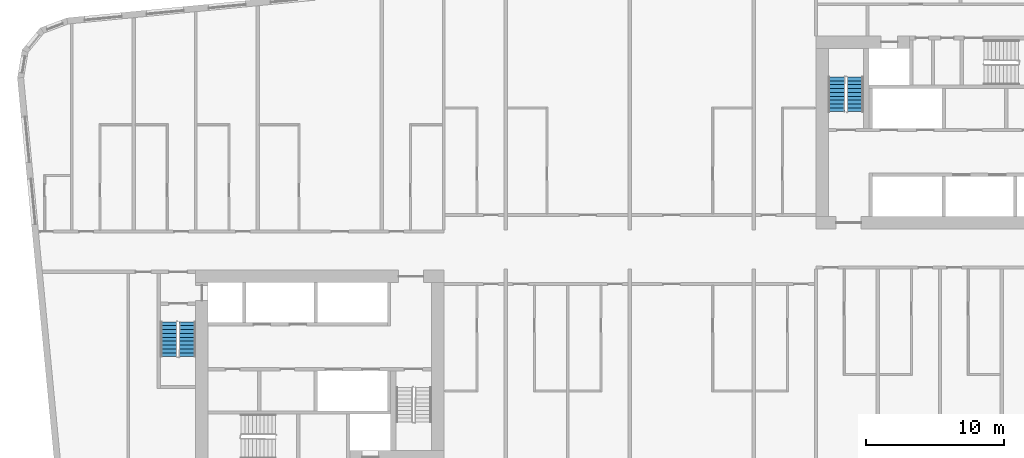
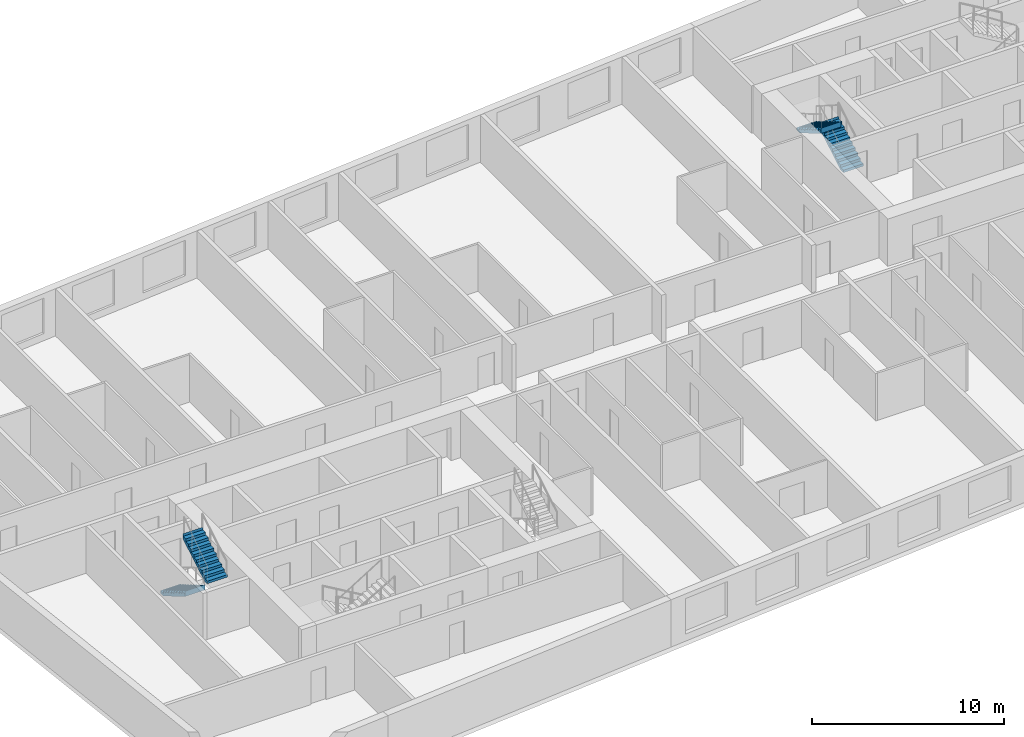
# One storey, part 10 of 12: 4 stair flights, 2 elements without a shape of their own.
"""IFC4 building model written with IfcOpenShell, lengths in metres."""

from ifc_helpers import new_model, si_unit, direction, frame, origin, place, context, subcontext, project, spatial, faceted_brep, material, type_object, element, aggregate, save


model = new_model("IFC4")

# Units and contexts
model_context = context("Model", 3, precision=1e-05, world=origin(), true_north=direction((0.0, 1.0)))
body_context = subcontext(model_context, "Body", "Model", "MODEL_VIEW")
ifc_project = project(units=[si_unit("LENGTHUNIT", "METRE"), si_unit("AREAUNIT", "SQUARE_METRE"), si_unit("VOLUMEUNIT", "CUBIC_METRE"), si_unit("PLANEANGLEUNIT", "RADIAN"), si_unit("MASSUNIT", "GRAM", prefix="KILO")], contexts=[model_context])

# Site, building, storey
site_placement = place(None, origin())
site = spatial("IfcSite", under=ifc_project, at=site_placement, CompositionType="ELEMENT")
building_placement = place(site_placement, origin())
building = spatial("IfcBuilding", under=site, at=building_placement, Name="Kajstack Hotel Tower", CompositionType="ELEMENT")
storey_placement = place(building_placement, frame((0.0, 0.0, 203.199951171875)))
storey = spatial("IfcBuildingStorey", under=building, at=storey_placement, Name="L49", CompositionType="ELEMENT", Elevation=203.199951171875)

# Stair, stair flights
ifc_material = material(Name="Concrete C40/50", Category="concrete")
stair_type = type_object("IfcStairType", Name="Exit stair 1200", PredefinedType="HALF_TURN_STAIR", material=ifc_material)
stair_1_placement = place(storey_placement, origin())
stair_1 = element("IfcStair", 1, at=stair_1_placement, inside=storey, type_object=stair_type, Name="L49 stair W1", PredefinedType="HALF_TURN_STAIR")
stair_flight_type = type_object("IfcStairFlightType", Name="Exit stair flight 1200", PredefinedType="STRAIGHT", material=ifc_material)
stair_flight_1_placement = place(storey_placement, frame((-33.449951171875, -5.25, 0.0), z_axis=(0.0, 0.0, 1.0), x_axis=(0.0, -1.0, 0.0)))
stair_flight_1 = element("IfcStairFlight", 2, at=stair_flight_1_placement, type_object=stair_flight_type, Name="W1 flight 1", NumberOfRisers=10, NumberOfTreads=9, PredefinedType="STRAIGHT", RiserHeight=0.165, TreadLength=0.28, context=body_context, shape_type="Brep", body=[
    faceted_brep([(0.295654296875, -0.60009765625, 0.0), (2.5205078125, -0.60009765625, 1.31103515625), (2.5205078125, -0.60009765625, 1.64990234375), (2.52001953125, -0.60009765625, 1.64990234375), (2.52001953125, -0.60009765625, 1.485107421875), (2.239990234375, -0.60009765625, 1.485107421875), (2.239990234375, -0.60009765625, 1.320068359375), (1.9599609375, -0.60009765625, 1.320068359375), (1.9599609375, -0.60009765625, 1.155029296875), (1.679931640625, -0.60009765625, 1.155029296875), (1.679931640625, -0.60009765625, 0.989990234375), (1.39990234375, -0.60009765625, 0.989990234375), (1.39990234375, -0.60009765625, 0.824951171875), (1.1201171875, -0.60009765625, 0.824951171875), (1.1201171875, -0.60009765625, 0.659912109375), (0.840087890625, -0.60009765625, 0.659912109375), (0.840087890625, -0.60009765625, 0.4951171875), (0.56005859375, -0.60009765625, 0.4951171875), (0.56005859375, -0.60009765625, 0.330078125), (0.280029296875, -0.60009765625, 0.330078125), (0.280029296875, -0.60009765625, 0.1650390625), (-0.00048828125, -0.60009765625, 0.1650390625), (-0.00048828125, -0.60009765625, 0.0), (-0.00048828125, 0.60009765625, 0.0), (-0.00048828125, 0.60009765625, 0.1650390625), (0.280029296875, 0.60009765625, 0.1650390625), (0.280029296875, 0.60009765625, 0.330078125), (0.56005859375, 0.60009765625, 0.330078125), (0.56005859375, 0.60009765625, 0.4951171875), (0.840087890625, 0.60009765625, 0.4951171875), (0.840087890625, 0.60009765625, 0.659912109375), (1.1201171875, 0.60009765625, 0.659912109375), (1.1201171875, 0.60009765625, 0.824951171875), (1.39990234375, 0.60009765625, 0.824951171875), (1.39990234375, 0.60009765625, 0.989990234375), (1.679931640625, 0.60009765625, 0.989990234375), (1.679931640625, 0.60009765625, 1.155029296875), (1.9599609375, 0.60009765625, 1.155029296875), (1.9599609375, 0.60009765625, 1.320068359375), (2.239990234375, 0.60009765625, 1.320068359375), (2.239990234375, 0.60009765625, 1.485107421875), (2.52001953125, 0.60009765625, 1.485107421875), (2.52001953125, 0.60009765625, 1.64990234375), (2.5205078125, 0.60009765625, 1.64990234375), (2.5205078125, 0.60009765625, 1.31103515625), (0.295654296875, 0.60009765625, 0.0), (-0.00048828125, -0.300048828125, 0.1650390625), (-0.00048828125, 0.0, 0.1650390625), (-0.00048828125, 0.300048828125, 0.1650390625), (-0.00048828125, 0.300048828125, 0.0), (-0.00048828125, 0.0, 0.0), (-0.00048828125, -0.300048828125, 0.0), (0.280029296875, -0.300048828125, 0.1650390625), (0.280029296875, 0.0, 0.1650390625), (0.280029296875, 0.300048828125, 0.1650390625), (0.280029296875, -0.300048828125, 0.330078125), (0.280029296875, 0.0, 0.330078125), (0.280029296875, 0.300048828125, 0.330078125), (0.56005859375, -0.300048828125, 0.330078125), (0.56005859375, 0.0, 0.330078125), (0.56005859375, 0.300048828125, 0.330078125), (0.56005859375, -0.300048828125, 0.4951171875), (0.56005859375, 0.0, 0.4951171875), (0.56005859375, 0.300048828125, 0.4951171875), (0.840087890625, -0.300048828125, 0.4951171875), (0.840087890625, 0.0, 0.4951171875), (0.840087890625, 0.300048828125, 0.4951171875), (0.840087890625, -0.300048828125, 0.659912109375), (0.840087890625, 0.0, 0.659912109375), (0.840087890625, 0.300048828125, 0.659912109375), (1.1201171875, -0.300048828125, 0.659912109375), (1.1201171875, 0.0, 0.659912109375), (1.1201171875, 0.300048828125, 0.659912109375), (1.1201171875, -0.300048828125, 0.824951171875), (1.1201171875, 0.0, 0.824951171875), (1.1201171875, 0.300048828125, 0.824951171875), (1.39990234375, -0.300048828125, 0.824951171875), (1.39990234375, 0.0, 0.824951171875), (1.39990234375, 0.300048828125, 0.824951171875), (1.39990234375, -0.300048828125, 0.989990234375), (1.39990234375, 0.0, 0.989990234375), (1.39990234375, 0.300048828125, 0.989990234375), (1.679931640625, -0.300048828125, 0.989990234375), (1.679931640625, 0.0, 0.989990234375), (1.679931640625, 0.300048828125, 0.989990234375), (1.679931640625, -0.300048828125, 1.155029296875), (1.679931640625, 0.0, 1.155029296875), (1.679931640625, 0.300048828125, 1.155029296875), (1.9599609375, -0.300048828125, 1.155029296875), (1.9599609375, 0.0, 1.155029296875), (1.9599609375, 0.300048828125, 1.155029296875), (1.9599609375, -0.300048828125, 1.320068359375), (1.9599609375, 0.0, 1.320068359375), (1.9599609375, 0.300048828125, 1.320068359375), (2.239990234375, -0.300048828125, 1.320068359375), (2.239990234375, 0.0, 1.320068359375), (2.239990234375, 0.300048828125, 1.320068359375), (2.239990234375, -0.300048828125, 1.485107421875), (2.239990234375, 0.0, 1.485107421875), (2.239990234375, 0.300048828125, 1.485107421875), (2.52001953125, -0.300048828125, 1.485107421875), (2.52001953125, 0.0, 1.485107421875), (2.52001953125, 0.300048828125, 1.485107421875), (2.52001953125, -0.300048828125, 1.64990234375), (2.52001953125, 0.0, 1.64990234375), (2.52001953125, 0.300048828125, 1.64990234375), (2.5205078125, -0.300048828125, 1.64990234375), (2.5205078125, 0.0, 1.64990234375), (2.5205078125, 0.300048828125, 1.64990234375), (2.5205078125, -0.300048828125, 1.31103515625), (2.5205078125, 0.0, 1.31103515625), (2.5205078125, 0.300048828125, 1.31103515625), (0.295654296875, -0.300048828125, 0.0), (0.295654296875, 0.0, 0.0), (0.295654296875, 0.300048828125, 0.0)], [[[0, 1, 2, 3, 4, 5, 6, 7, 8, 9, 10, 11, 12, 13, 14, 15, 16, 17, 18, 19, 20, 21, 22]], [[23, 24, 25, 26, 27, 28, 29, 30, 31, 32, 33, 34, 35, 36, 37, 38, 39, 40, 41, 42, 43, 44, 45]], [[21, 46, 47, 48, 24, 23, 49, 50, 51, 22]], [[20, 52, 53, 54, 25, 24, 48, 47, 46, 21]], [[19, 55, 56, 57, 26, 25, 54, 53, 52, 20]], [[18, 58, 59, 60, 27, 26, 57, 56, 55, 19]], [[17, 61, 62, 63, 28, 27, 60, 59, 58, 18]], [[16, 64, 65, 66, 29, 28, 63, 62, 61, 17]], [[15, 67, 68, 69, 30, 29, 66, 65, 64, 16]], [[14, 70, 71, 72, 31, 30, 69, 68, 67, 15]], [[13, 73, 74, 75, 32, 31, 72, 71, 70, 14]], [[12, 76, 77, 78, 33, 32, 75, 74, 73, 13]], [[11, 79, 80, 81, 34, 33, 78, 77, 76, 12]], [[10, 82, 83, 84, 35, 34, 81, 80, 79, 11]], [[9, 85, 86, 87, 36, 35, 84, 83, 82, 10]], [[8, 88, 89, 90, 37, 36, 87, 86, 85, 9]], [[7, 91, 92, 93, 38, 37, 90, 89, 88, 8]], [[6, 94, 95, 96, 39, 38, 93, 92, 91, 7]], [[5, 97, 98, 99, 40, 39, 96, 95, 94, 6]], [[4, 100, 101, 102, 41, 40, 99, 98, 97, 5]], [[3, 103, 104, 105, 42, 41, 102, 101, 100, 4]], [[2, 106, 107, 108, 43, 42, 105, 104, 103, 3]], [[1, 109, 110, 111, 44, 43, 108, 107, 106, 2]], [[0, 112, 113, 114, 45, 44, 111, 110, 109, 1]], [[22, 51, 50, 49, 23, 45, 114, 113, 112, 0]]]),
])
stair_flight_2_placement = place(storey_placement, frame((-32.10009765625, -7.77001953125, 1.650146484375), z_axis=(0.0, 0.0, 1.0), x_axis=(0.0, 1.0, 0.0)))
stair_flight_2 = element("IfcStairFlight", 3, at=stair_flight_2_placement, type_object=stair_flight_type, Name="W1 flight 2", NumberOfRisers=10, NumberOfTreads=9, PredefinedType="STRAIGHT", RiserHeight=0.165, TreadLength=0.28, context=body_context, shape_type="Brep", body=[
    faceted_brep([(0.295654296875, -0.60009765625, 0.0), (2.5205078125, -0.60009765625, 1.31103515625), (2.5205078125, -0.60009765625, 1.64990234375), (2.52001953125, -0.60009765625, 1.64990234375), (2.52001953125, -0.60009765625, 1.485107421875), (2.239990234375, -0.60009765625, 1.485107421875), (2.239990234375, -0.60009765625, 1.320068359375), (1.9599609375, -0.60009765625, 1.320068359375), (1.9599609375, -0.60009765625, 1.155029296875), (1.679931640625, -0.60009765625, 1.155029296875), (1.679931640625, -0.60009765625, 0.989990234375), (1.39990234375, -0.60009765625, 0.989990234375), (1.39990234375, -0.60009765625, 0.824951171875), (1.1201171875, -0.60009765625, 0.824951171875), (1.1201171875, -0.60009765625, 0.659912109375), (0.840087890625, -0.60009765625, 0.659912109375), (0.840087890625, -0.60009765625, 0.4951171875), (0.56005859375, -0.60009765625, 0.4951171875), (0.56005859375, -0.60009765625, 0.330078125), (0.280029296875, -0.60009765625, 0.330078125), (0.280029296875, -0.60009765625, 0.1650390625), (-0.00048828125, -0.60009765625, 0.1650390625), (-0.00048828125, -0.60009765625, 0.0), (-0.00048828125, 0.60009765625, 0.0), (-0.00048828125, 0.60009765625, 0.1650390625), (0.280029296875, 0.60009765625, 0.1650390625), (0.280029296875, 0.60009765625, 0.330078125), (0.56005859375, 0.60009765625, 0.330078125), (0.56005859375, 0.60009765625, 0.4951171875), (0.840087890625, 0.60009765625, 0.4951171875), (0.840087890625, 0.60009765625, 0.659912109375), (1.1201171875, 0.60009765625, 0.659912109375), (1.1201171875, 0.60009765625, 0.824951171875), (1.39990234375, 0.60009765625, 0.824951171875), (1.39990234375, 0.60009765625, 0.989990234375), (1.679931640625, 0.60009765625, 0.989990234375), (1.679931640625, 0.60009765625, 1.155029296875), (1.9599609375, 0.60009765625, 1.155029296875), (1.9599609375, 0.60009765625, 1.320068359375), (2.239990234375, 0.60009765625, 1.320068359375), (2.239990234375, 0.60009765625, 1.485107421875), (2.52001953125, 0.60009765625, 1.485107421875), (2.52001953125, 0.60009765625, 1.64990234375), (2.5205078125, 0.60009765625, 1.64990234375), (2.5205078125, 0.60009765625, 1.31103515625), (0.295654296875, 0.60009765625, 0.0), (-0.00048828125, -0.300048828125, 0.1650390625), (-0.00048828125, 0.0, 0.1650390625), (-0.00048828125, 0.300048828125, 0.1650390625), (-0.00048828125, 0.300048828125, 0.0), (-0.00048828125, 0.0, 0.0), (-0.00048828125, -0.300048828125, 0.0), (0.280029296875, -0.300048828125, 0.1650390625), (0.280029296875, 0.0, 0.1650390625), (0.280029296875, 0.300048828125, 0.1650390625), (0.280029296875, -0.300048828125, 0.330078125), (0.280029296875, 0.0, 0.330078125), (0.280029296875, 0.300048828125, 0.330078125), (0.56005859375, -0.300048828125, 0.330078125), (0.56005859375, 0.0, 0.330078125), (0.56005859375, 0.300048828125, 0.330078125), (0.56005859375, -0.300048828125, 0.4951171875), (0.56005859375, 0.0, 0.4951171875), (0.56005859375, 0.300048828125, 0.4951171875), (0.840087890625, -0.300048828125, 0.4951171875), (0.840087890625, 0.0, 0.4951171875), (0.840087890625, 0.300048828125, 0.4951171875), (0.840087890625, -0.300048828125, 0.659912109375), (0.840087890625, 0.0, 0.659912109375), (0.840087890625, 0.300048828125, 0.659912109375), (1.1201171875, -0.300048828125, 0.659912109375), (1.1201171875, 0.0, 0.659912109375), (1.1201171875, 0.300048828125, 0.659912109375), (1.1201171875, -0.300048828125, 0.824951171875), (1.1201171875, 0.0, 0.824951171875), (1.1201171875, 0.300048828125, 0.824951171875), (1.39990234375, -0.300048828125, 0.824951171875), (1.39990234375, 0.0, 0.824951171875), (1.39990234375, 0.300048828125, 0.824951171875), (1.39990234375, -0.300048828125, 0.989990234375), (1.39990234375, 0.0, 0.989990234375), (1.39990234375, 0.300048828125, 0.989990234375), (1.679931640625, -0.300048828125, 0.989990234375), (1.679931640625, 0.0, 0.989990234375), (1.679931640625, 0.300048828125, 0.989990234375), (1.679931640625, -0.300048828125, 1.155029296875), (1.679931640625, 0.0, 1.155029296875), (1.679931640625, 0.300048828125, 1.155029296875), (1.9599609375, -0.300048828125, 1.155029296875), (1.9599609375, 0.0, 1.155029296875), (1.9599609375, 0.300048828125, 1.155029296875), (1.9599609375, -0.300048828125, 1.320068359375), (1.9599609375, 0.0, 1.320068359375), (1.9599609375, 0.300048828125, 1.320068359375), (2.239990234375, -0.300048828125, 1.320068359375), (2.239990234375, 0.0, 1.320068359375), (2.239990234375, 0.300048828125, 1.320068359375), (2.239990234375, -0.300048828125, 1.485107421875), (2.239990234375, 0.0, 1.485107421875), (2.239990234375, 0.300048828125, 1.485107421875), (2.52001953125, -0.300048828125, 1.485107421875), (2.52001953125, 0.0, 1.485107421875), (2.52001953125, 0.300048828125, 1.485107421875), (2.52001953125, -0.300048828125, 1.64990234375), (2.52001953125, 0.0, 1.64990234375), (2.52001953125, 0.300048828125, 1.64990234375), (2.5205078125, -0.300048828125, 1.64990234375), (2.5205078125, 0.0, 1.64990234375), (2.5205078125, 0.300048828125, 1.64990234375), (2.5205078125, -0.300048828125, 1.31103515625), (2.5205078125, 0.0, 1.31103515625), (2.5205078125, 0.300048828125, 1.31103515625), (0.295654296875, -0.300048828125, 0.0), (0.295654296875, 0.0, 0.0), (0.295654296875, 0.300048828125, 0.0)], [[[0, 1, 2, 3, 4, 5, 6, 7, 8, 9, 10, 11, 12, 13, 14, 15, 16, 17, 18, 19, 20, 21, 22]], [[23, 24, 25, 26, 27, 28, 29, 30, 31, 32, 33, 34, 35, 36, 37, 38, 39, 40, 41, 42, 43, 44, 45]], [[21, 46, 47, 48, 24, 23, 49, 50, 51, 22]], [[20, 52, 53, 54, 25, 24, 48, 47, 46, 21]], [[19, 55, 56, 57, 26, 25, 54, 53, 52, 20]], [[18, 58, 59, 60, 27, 26, 57, 56, 55, 19]], [[17, 61, 62, 63, 28, 27, 60, 59, 58, 18]], [[16, 64, 65, 66, 29, 28, 63, 62, 61, 17]], [[15, 67, 68, 69, 30, 29, 66, 65, 64, 16]], [[14, 70, 71, 72, 31, 30, 69, 68, 67, 15]], [[13, 73, 74, 75, 32, 31, 72, 71, 70, 14]], [[12, 76, 77, 78, 33, 32, 75, 74, 73, 13]], [[11, 79, 80, 81, 34, 33, 78, 77, 76, 12]], [[10, 82, 83, 84, 35, 34, 81, 80, 79, 11]], [[9, 85, 86, 87, 36, 35, 84, 83, 82, 10]], [[8, 88, 89, 90, 37, 36, 87, 86, 85, 9]], [[7, 91, 92, 93, 38, 37, 90, 89, 88, 8]], [[6, 94, 95, 96, 39, 38, 93, 92, 91, 7]], [[5, 97, 98, 99, 40, 39, 96, 95, 94, 6]], [[4, 100, 101, 102, 41, 40, 99, 98, 97, 5]], [[3, 103, 104, 105, 42, 41, 102, 101, 100, 4]], [[2, 106, 107, 108, 43, 42, 105, 104, 103, 3]], [[1, 109, 110, 111, 44, 43, 108, 107, 106, 2]], [[0, 112, 113, 114, 45, 44, 111, 110, 109, 1]], [[22, 51, 50, 49, 23, 45, 114, 113, 112, 0]]]),
])
aggregate(stair_1, [stair_flight_1, stair_flight_2])

stair_2_placement = place(storey_placement, origin())
stair_2 = element("IfcStair", 4, at=stair_2_placement, inside=storey, type_object=stair_type, Name="L49 stair E2", PredefinedType="HALF_TURN_STAIR")
stair_flight_3_placement = place(storey_placement, frame((16.35009765625, 10.0, 0.0), z_axis=(0.0, 0.0, 1.0), x_axis=(0.0, 1.0, 0.0)))
stair_flight_3 = element("IfcStairFlight", 5, at=stair_flight_3_placement, type_object=stair_flight_type, Name="E2 flight 1", NumberOfRisers=10, NumberOfTreads=9, PredefinedType="STRAIGHT", RiserHeight=0.165, TreadLength=0.28, context=body_context, shape_type="Brep", body=[
    faceted_brep([(0.295654296875, -0.60009765625, 0.0), (2.5205078125, -0.60009765625, 1.31103515625), (2.5205078125, -0.60009765625, 1.64990234375), (2.52001953125, -0.60009765625, 1.64990234375), (2.52001953125, -0.60009765625, 1.485107421875), (2.239990234375, -0.60009765625, 1.485107421875), (2.239990234375, -0.60009765625, 1.320068359375), (1.9599609375, -0.60009765625, 1.320068359375), (1.9599609375, -0.60009765625, 1.155029296875), (1.679931640625, -0.60009765625, 1.155029296875), (1.679931640625, -0.60009765625, 0.989990234375), (1.39990234375, -0.60009765625, 0.989990234375), (1.39990234375, -0.60009765625, 0.824951171875), (1.1201171875, -0.60009765625, 0.824951171875), (1.1201171875, -0.60009765625, 0.659912109375), (0.840087890625, -0.60009765625, 0.659912109375), (0.840087890625, -0.60009765625, 0.4951171875), (0.56005859375, -0.60009765625, 0.4951171875), (0.56005859375, -0.60009765625, 0.330078125), (0.280029296875, -0.60009765625, 0.330078125), (0.280029296875, -0.60009765625, 0.1650390625), (-0.00048828125, -0.60009765625, 0.1650390625), (-0.00048828125, -0.60009765625, 0.0), (-0.00048828125, 0.60009765625, 0.0), (-0.00048828125, 0.60009765625, 0.1650390625), (0.280029296875, 0.60009765625, 0.1650390625), (0.280029296875, 0.60009765625, 0.330078125), (0.56005859375, 0.60009765625, 0.330078125), (0.56005859375, 0.60009765625, 0.4951171875), (0.840087890625, 0.60009765625, 0.4951171875), (0.840087890625, 0.60009765625, 0.659912109375), (1.1201171875, 0.60009765625, 0.659912109375), (1.1201171875, 0.60009765625, 0.824951171875), (1.39990234375, 0.60009765625, 0.824951171875), (1.39990234375, 0.60009765625, 0.989990234375), (1.679931640625, 0.60009765625, 0.989990234375), (1.679931640625, 0.60009765625, 1.155029296875), (1.9599609375, 0.60009765625, 1.155029296875), (1.9599609375, 0.60009765625, 1.320068359375), (2.239990234375, 0.60009765625, 1.320068359375), (2.239990234375, 0.60009765625, 1.485107421875), (2.52001953125, 0.60009765625, 1.485107421875), (2.52001953125, 0.60009765625, 1.64990234375), (2.5205078125, 0.60009765625, 1.64990234375), (2.5205078125, 0.60009765625, 1.31103515625), (0.295654296875, 0.60009765625, 0.0), (-0.00048828125, -0.300048828125, 0.1650390625), (-0.00048828125, 0.0, 0.1650390625), (-0.00048828125, 0.300048828125, 0.1650390625), (-0.00048828125, 0.300048828125, 0.0), (-0.00048828125, 0.0, 0.0), (-0.00048828125, -0.300048828125, 0.0), (0.280029296875, -0.300048828125, 0.1650390625), (0.280029296875, 0.0, 0.1650390625), (0.280029296875, 0.300048828125, 0.1650390625), (0.280029296875, -0.300048828125, 0.330078125), (0.280029296875, 0.0, 0.330078125), (0.280029296875, 0.300048828125, 0.330078125), (0.56005859375, -0.300048828125, 0.330078125), (0.56005859375, 0.0, 0.330078125), (0.56005859375, 0.300048828125, 0.330078125), (0.56005859375, -0.300048828125, 0.4951171875), (0.56005859375, 0.0, 0.4951171875), (0.56005859375, 0.300048828125, 0.4951171875), (0.840087890625, -0.300048828125, 0.4951171875), (0.840087890625, 0.0, 0.4951171875), (0.840087890625, 0.300048828125, 0.4951171875), (0.840087890625, -0.300048828125, 0.659912109375), (0.840087890625, 0.0, 0.659912109375), (0.840087890625, 0.300048828125, 0.659912109375), (1.1201171875, -0.300048828125, 0.659912109375), (1.1201171875, 0.0, 0.659912109375), (1.1201171875, 0.300048828125, 0.659912109375), (1.1201171875, -0.300048828125, 0.824951171875), (1.1201171875, 0.0, 0.824951171875), (1.1201171875, 0.300048828125, 0.824951171875), (1.39990234375, -0.300048828125, 0.824951171875), (1.39990234375, 0.0, 0.824951171875), (1.39990234375, 0.300048828125, 0.824951171875), (1.39990234375, -0.300048828125, 0.989990234375), (1.39990234375, 0.0, 0.989990234375), (1.39990234375, 0.300048828125, 0.989990234375), (1.679931640625, -0.300048828125, 0.989990234375), (1.679931640625, 0.0, 0.989990234375), (1.679931640625, 0.300048828125, 0.989990234375), (1.679931640625, -0.300048828125, 1.155029296875), (1.679931640625, 0.0, 1.155029296875), (1.679931640625, 0.300048828125, 1.155029296875), (1.9599609375, -0.300048828125, 1.155029296875), (1.9599609375, 0.0, 1.155029296875), (1.9599609375, 0.300048828125, 1.155029296875), (1.9599609375, -0.300048828125, 1.320068359375), (1.9599609375, 0.0, 1.320068359375), (1.9599609375, 0.300048828125, 1.320068359375), (2.239990234375, -0.300048828125, 1.320068359375), (2.239990234375, 0.0, 1.320068359375), (2.239990234375, 0.300048828125, 1.320068359375), (2.239990234375, -0.300048828125, 1.485107421875), (2.239990234375, 0.0, 1.485107421875), (2.239990234375, 0.300048828125, 1.485107421875), (2.52001953125, -0.300048828125, 1.485107421875), (2.52001953125, 0.0, 1.485107421875), (2.52001953125, 0.300048828125, 1.485107421875), (2.52001953125, -0.300048828125, 1.64990234375), (2.52001953125, 0.0, 1.64990234375), (2.52001953125, 0.300048828125, 1.64990234375), (2.5205078125, -0.300048828125, 1.64990234375), (2.5205078125, 0.0, 1.64990234375), (2.5205078125, 0.300048828125, 1.64990234375), (2.5205078125, -0.300048828125, 1.31103515625), (2.5205078125, 0.0, 1.31103515625), (2.5205078125, 0.300048828125, 1.31103515625), (0.295654296875, -0.300048828125, 0.0), (0.295654296875, 0.0, 0.0), (0.295654296875, 0.300048828125, 0.0)], [[[0, 1, 2, 3, 4, 5, 6, 7, 8, 9, 10, 11, 12, 13, 14, 15, 16, 17, 18, 19, 20, 21, 22]], [[23, 24, 25, 26, 27, 28, 29, 30, 31, 32, 33, 34, 35, 36, 37, 38, 39, 40, 41, 42, 43, 44, 45]], [[21, 46, 47, 48, 24, 23, 49, 50, 51, 22]], [[20, 52, 53, 54, 25, 24, 48, 47, 46, 21]], [[19, 55, 56, 57, 26, 25, 54, 53, 52, 20]], [[18, 58, 59, 60, 27, 26, 57, 56, 55, 19]], [[17, 61, 62, 63, 28, 27, 60, 59, 58, 18]], [[16, 64, 65, 66, 29, 28, 63, 62, 61, 17]], [[15, 67, 68, 69, 30, 29, 66, 65, 64, 16]], [[14, 70, 71, 72, 31, 30, 69, 68, 67, 15]], [[13, 73, 74, 75, 32, 31, 72, 71, 70, 14]], [[12, 76, 77, 78, 33, 32, 75, 74, 73, 13]], [[11, 79, 80, 81, 34, 33, 78, 77, 76, 12]], [[10, 82, 83, 84, 35, 34, 81, 80, 79, 11]], [[9, 85, 86, 87, 36, 35, 84, 83, 82, 10]], [[8, 88, 89, 90, 37, 36, 87, 86, 85, 9]], [[7, 91, 92, 93, 38, 37, 90, 89, 88, 8]], [[6, 94, 95, 96, 39, 38, 93, 92, 91, 7]], [[5, 97, 98, 99, 40, 39, 96, 95, 94, 6]], [[4, 100, 101, 102, 41, 40, 99, 98, 97, 5]], [[3, 103, 104, 105, 42, 41, 102, 101, 100, 4]], [[2, 106, 107, 108, 43, 42, 105, 104, 103, 3]], [[1, 109, 110, 111, 44, 43, 108, 107, 106, 2]], [[0, 112, 113, 114, 45, 44, 111, 110, 109, 1]], [[22, 51, 50, 49, 23, 45, 114, 113, 112, 0]]]),
])
stair_flight_4_placement = place(storey_placement, frame((15.0, 12.52001953125, 1.650146484375), z_axis=(0.0, 0.0, 1.0), x_axis=(0.0, -1.0, 0.0)))
stair_flight_4 = element("IfcStairFlight", 6, at=stair_flight_4_placement, type_object=stair_flight_type, Name="E2 flight 2", NumberOfRisers=10, NumberOfTreads=9, PredefinedType="STRAIGHT", RiserHeight=0.165, TreadLength=0.28, context=body_context, shape_type="Brep", body=[
    faceted_brep([(0.295654296875, -0.60009765625, 0.0), (2.5205078125, -0.60009765625, 1.31103515625), (2.5205078125, -0.60009765625, 1.64990234375), (2.52001953125, -0.60009765625, 1.64990234375), (2.52001953125, -0.60009765625, 1.485107421875), (2.239990234375, -0.60009765625, 1.485107421875), (2.239990234375, -0.60009765625, 1.320068359375), (1.9599609375, -0.60009765625, 1.320068359375), (1.9599609375, -0.60009765625, 1.155029296875), (1.679931640625, -0.60009765625, 1.155029296875), (1.679931640625, -0.60009765625, 0.989990234375), (1.39990234375, -0.60009765625, 0.989990234375), (1.39990234375, -0.60009765625, 0.824951171875), (1.1201171875, -0.60009765625, 0.824951171875), (1.1201171875, -0.60009765625, 0.659912109375), (0.840087890625, -0.60009765625, 0.659912109375), (0.840087890625, -0.60009765625, 0.4951171875), (0.56005859375, -0.60009765625, 0.4951171875), (0.56005859375, -0.60009765625, 0.330078125), (0.280029296875, -0.60009765625, 0.330078125), (0.280029296875, -0.60009765625, 0.1650390625), (-0.00048828125, -0.60009765625, 0.1650390625), (-0.00048828125, -0.60009765625, 0.0), (-0.00048828125, 0.60009765625, 0.0), (-0.00048828125, 0.60009765625, 0.1650390625), (0.280029296875, 0.60009765625, 0.1650390625), (0.280029296875, 0.60009765625, 0.330078125), (0.56005859375, 0.60009765625, 0.330078125), (0.56005859375, 0.60009765625, 0.4951171875), (0.840087890625, 0.60009765625, 0.4951171875), (0.840087890625, 0.60009765625, 0.659912109375), (1.1201171875, 0.60009765625, 0.659912109375), (1.1201171875, 0.60009765625, 0.824951171875), (1.39990234375, 0.60009765625, 0.824951171875), (1.39990234375, 0.60009765625, 0.989990234375), (1.679931640625, 0.60009765625, 0.989990234375), (1.679931640625, 0.60009765625, 1.155029296875), (1.9599609375, 0.60009765625, 1.155029296875), (1.9599609375, 0.60009765625, 1.320068359375), (2.239990234375, 0.60009765625, 1.320068359375), (2.239990234375, 0.60009765625, 1.485107421875), (2.52001953125, 0.60009765625, 1.485107421875), (2.52001953125, 0.60009765625, 1.64990234375), (2.5205078125, 0.60009765625, 1.64990234375), (2.5205078125, 0.60009765625, 1.31103515625), (0.295654296875, 0.60009765625, 0.0), (-0.00048828125, -0.300048828125, 0.1650390625), (-0.00048828125, 0.0, 0.1650390625), (-0.00048828125, 0.300048828125, 0.1650390625), (-0.00048828125, 0.300048828125, 0.0), (-0.00048828125, 0.0, 0.0), (-0.00048828125, -0.300048828125, 0.0), (0.280029296875, -0.300048828125, 0.1650390625), (0.280029296875, 0.0, 0.1650390625), (0.280029296875, 0.300048828125, 0.1650390625), (0.280029296875, -0.300048828125, 0.330078125), (0.280029296875, 0.0, 0.330078125), (0.280029296875, 0.300048828125, 0.330078125), (0.56005859375, -0.300048828125, 0.330078125), (0.56005859375, 0.0, 0.330078125), (0.56005859375, 0.300048828125, 0.330078125), (0.56005859375, -0.300048828125, 0.4951171875), (0.56005859375, 0.0, 0.4951171875), (0.56005859375, 0.300048828125, 0.4951171875), (0.840087890625, -0.300048828125, 0.4951171875), (0.840087890625, 0.0, 0.4951171875), (0.840087890625, 0.300048828125, 0.4951171875), (0.840087890625, -0.300048828125, 0.659912109375), (0.840087890625, 0.0, 0.659912109375), (0.840087890625, 0.300048828125, 0.659912109375), (1.1201171875, -0.300048828125, 0.659912109375), (1.1201171875, 0.0, 0.659912109375), (1.1201171875, 0.300048828125, 0.659912109375), (1.1201171875, -0.300048828125, 0.824951171875), (1.1201171875, 0.0, 0.824951171875), (1.1201171875, 0.300048828125, 0.824951171875), (1.39990234375, -0.300048828125, 0.824951171875), (1.39990234375, 0.0, 0.824951171875), (1.39990234375, 0.300048828125, 0.824951171875), (1.39990234375, -0.300048828125, 0.989990234375), (1.39990234375, 0.0, 0.989990234375), (1.39990234375, 0.300048828125, 0.989990234375), (1.679931640625, -0.300048828125, 0.989990234375), (1.679931640625, 0.0, 0.989990234375), (1.679931640625, 0.300048828125, 0.989990234375), (1.679931640625, -0.300048828125, 1.155029296875), (1.679931640625, 0.0, 1.155029296875), (1.679931640625, 0.300048828125, 1.155029296875), (1.9599609375, -0.300048828125, 1.155029296875), (1.9599609375, 0.0, 1.155029296875), (1.9599609375, 0.300048828125, 1.155029296875), (1.9599609375, -0.300048828125, 1.320068359375), (1.9599609375, 0.0, 1.320068359375), (1.9599609375, 0.300048828125, 1.320068359375), (2.239990234375, -0.300048828125, 1.320068359375), (2.239990234375, 0.0, 1.320068359375), (2.239990234375, 0.300048828125, 1.320068359375), (2.239990234375, -0.300048828125, 1.485107421875), (2.239990234375, 0.0, 1.485107421875), (2.239990234375, 0.300048828125, 1.485107421875), (2.52001953125, -0.300048828125, 1.485107421875), (2.52001953125, 0.0, 1.485107421875), (2.52001953125, 0.300048828125, 1.485107421875), (2.52001953125, -0.300048828125, 1.64990234375), (2.52001953125, 0.0, 1.64990234375), (2.52001953125, 0.300048828125, 1.64990234375), (2.5205078125, -0.300048828125, 1.64990234375), (2.5205078125, 0.0, 1.64990234375), (2.5205078125, 0.300048828125, 1.64990234375), (2.5205078125, -0.300048828125, 1.31103515625), (2.5205078125, 0.0, 1.31103515625), (2.5205078125, 0.300048828125, 1.31103515625), (0.295654296875, -0.300048828125, 0.0), (0.295654296875, 0.0, 0.0), (0.295654296875, 0.300048828125, 0.0)], [[[0, 1, 2, 3, 4, 5, 6, 7, 8, 9, 10, 11, 12, 13, 14, 15, 16, 17, 18, 19, 20, 21, 22]], [[23, 24, 25, 26, 27, 28, 29, 30, 31, 32, 33, 34, 35, 36, 37, 38, 39, 40, 41, 42, 43, 44, 45]], [[21, 46, 47, 48, 24, 23, 49, 50, 51, 22]], [[20, 52, 53, 54, 25, 24, 48, 47, 46, 21]], [[19, 55, 56, 57, 26, 25, 54, 53, 52, 20]], [[18, 58, 59, 60, 27, 26, 57, 56, 55, 19]], [[17, 61, 62, 63, 28, 27, 60, 59, 58, 18]], [[16, 64, 65, 66, 29, 28, 63, 62, 61, 17]], [[15, 67, 68, 69, 30, 29, 66, 65, 64, 16]], [[14, 70, 71, 72, 31, 30, 69, 68, 67, 15]], [[13, 73, 74, 75, 32, 31, 72, 71, 70, 14]], [[12, 76, 77, 78, 33, 32, 75, 74, 73, 13]], [[11, 79, 80, 81, 34, 33, 78, 77, 76, 12]], [[10, 82, 83, 84, 35, 34, 81, 80, 79, 11]], [[9, 85, 86, 87, 36, 35, 84, 83, 82, 10]], [[8, 88, 89, 90, 37, 36, 87, 86, 85, 9]], [[7, 91, 92, 93, 38, 37, 90, 89, 88, 8]], [[6, 94, 95, 96, 39, 38, 93, 92, 91, 7]], [[5, 97, 98, 99, 40, 39, 96, 95, 94, 6]], [[4, 100, 101, 102, 41, 40, 99, 98, 97, 5]], [[3, 103, 104, 105, 42, 41, 102, 101, 100, 4]], [[2, 106, 107, 108, 43, 42, 105, 104, 103, 3]], [[1, 109, 110, 111, 44, 43, 108, 107, 106, 2]], [[0, 112, 113, 114, 45, 44, 111, 110, 109, 1]], [[22, 51, 50, 49, 23, 45, 114, 113, 112, 0]]]),
])
aggregate(stair_2, [stair_flight_3, stair_flight_4])

save(model, "model.ifc")
